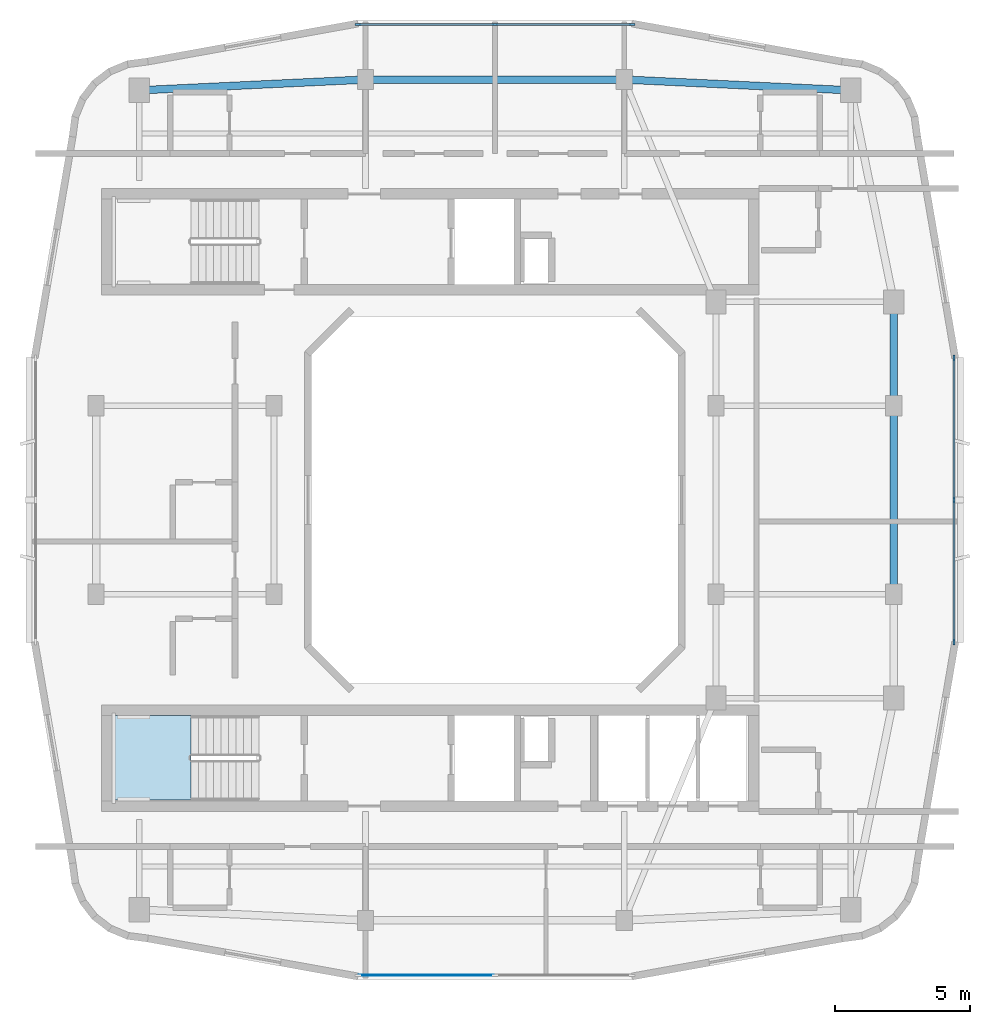
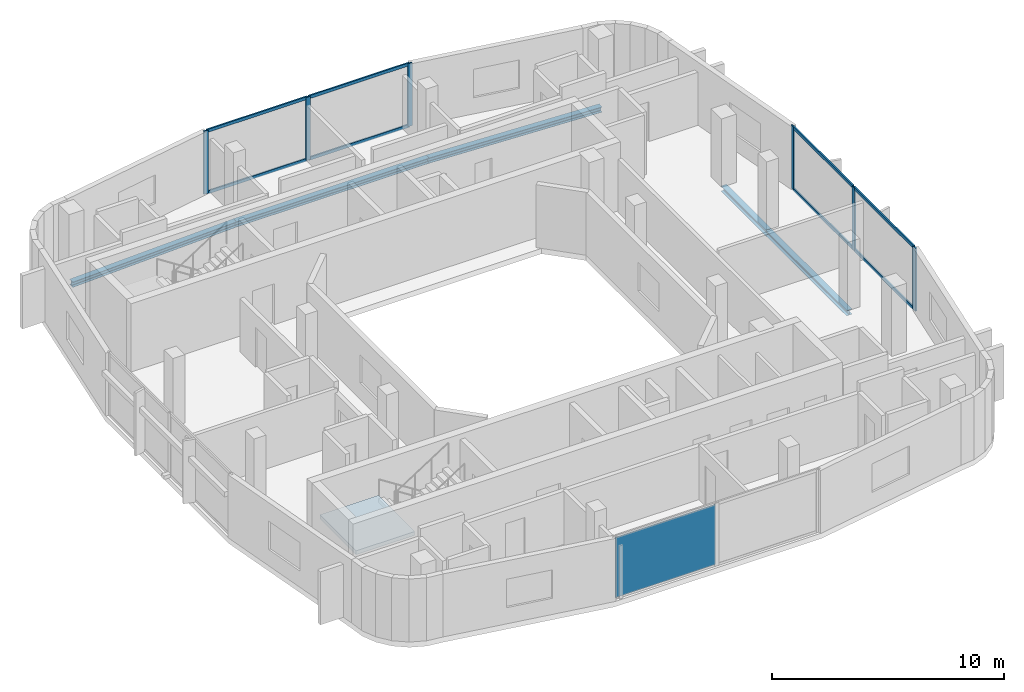
# One storey, part 2 of 8: 14 members, 5 beams, 1 plate, 1 slab, 4 elements without a shape of their own.
"""IFC4 building model written with IfcOpenShell, lengths in metres."""

from ifc_helpers import new_model, si_unit, derived_unit, direction, frame, origin, origin_2d, place, context, subcontext, project, spatial, polyline, rectangle, i_section, outline, extrude, material, layer, layer_set, material_profile, profile_set, type_object, element, aggregate, save


model = new_model("IFC4")

# Units and contexts
model_context = context("Model", 3, precision=1e-05, world=origin(), true_north=direction((0.0, 1.0)))
body_context = subcontext(model_context, "Body", "Model", "MODEL_VIEW")
ifc_project = project(units=[si_unit("LENGTHUNIT", "METRE"), si_unit("AREAUNIT", "SQUARE_METRE"), si_unit("VOLUMEUNIT", "CUBIC_METRE"), si_unit("PLANEANGLEUNIT", "RADIAN"), si_unit("MASSUNIT", "GRAM", prefix="KILO"), derived_unit("THERMALTRANSMITTANCEUNIT", [(si_unit("POWERUNIT", "WATT"), 1), (si_unit("LENGTHUNIT", "METRE"), -2), (si_unit("THERMODYNAMICTEMPERATUREUNIT", "KELVIN"), -1)])], contexts=[model_context])

# Site, building, storey
site_placement = place(None, origin())
site = spatial("IfcSite", under=ifc_project, at=site_placement, CompositionType="ELEMENT")
building_placement = place(site_placement, origin())
building = spatial("IfcBuilding", under=site, at=building_placement, Name="Kivonza Crest Hotel", CompositionType="ELEMENT")
storey_placement = place(building_placement, frame((0.0, 0.0, 257.60009765625)))
storey = spatial("IfcBuildingStorey", under=building, at=storey_placement, Name="L70", CompositionType="ELEMENT", Elevation=257.60009765625)

# Beams
ifc_material_1 = material(Name="Steel S355", Category="steel")
ifc_material_profile_1 = material_profile(ifc_material_1, i_section(OverallWidth=0.280029296875, OverallDepth=0.280029296875, WebThickness=0.010498046875, FlangeThickness=0.01806640625, FilletRadius=0.02392578125, at=origin_2d()), Name="HEB 280")
ifc_profile_set_1 = profile_set([ifc_material_profile_1], Name="Steel S355")
beam_type = type_object("IfcBeamType", Name="BM-HEB280", PredefinedType="SPANDREL", material=ifc_profile_set_1)
beam_1_placement = place(storey_placement, frame((35.800048828125, 21.5, -0.420166015625), z_axis=(0.0, 1.0, 0.0), x_axis=(-1.0, 0.0, 0.0)))
element("IfcBeam", 1, at=beam_1_placement, inside=storey, type_object=beam_type, Name="Tower T1 L70 perimeter spandrel E1-E2", PredefinedType="SPANDREL", context=body_context, shape_type="SweptSolid", body=[
    extrude(i_section(OverallWidth=0.280029296875, OverallDepth=0.280029296875, WebThickness=0.010498046875, FlangeThickness=0.01806640625, FilletRadius=0.02392578125, at=origin_2d()), origin(), (0.0, 0.0, 1.0), 7.0),
])
beam_2_placement = place(storey_placement, frame((35.800048828125, 28.5, -0.420166015625), z_axis=(0.0, 1.0, 0.0), x_axis=(-1.0, 0.0, 0.0)))
element("IfcBeam", 2, at=beam_2_placement, inside=storey, type_object=beam_type, Name="Tower T1 L70 perimeter spandrel E2-PNE", PredefinedType="SPANDREL", context=body_context, shape_type="SweptSolid", body=[
    extrude(i_section(OverallWidth=0.280029296875, OverallDepth=0.280029296875, WebThickness=0.010498046875, FlangeThickness=0.01806640625, FilletRadius=0.02392578125, at=origin_2d()), origin(), (0.0, 0.0, 1.0), 3.85009765625),
])
beam_3_placement = place(storey_placement, frame((34.199951171875, 40.199951171875, -0.420166015625), z_axis=(-0.998867283688, 0.047583080799, 0.0), x_axis=(-0.047583080799, -0.998867283688, 0.0)))
element("IfcBeam", 3, at=beam_3_placement, inside=storey, type_object=beam_type, Name="Tower T1 L70 perimeter spandrel NE-N2", PredefinedType="SPANDREL", context=body_context, shape_type="SweptSolid", body=[
    extrude(i_section(OverallWidth=0.280029296875, OverallDepth=0.280029296875, WebThickness=0.010498046875, FlangeThickness=0.01806640625, FilletRadius=0.02392578125, at=origin_2d()), origin(), (0.0, 0.0, 1.0), 8.409423828125),
])
beam_4_placement = place(storey_placement, frame((25.800048828125, 40.60009765625, -0.420166015625), z_axis=(-1.0, 0.0, 0.0), x_axis=(0.0, -1.0, 0.0)))
element("IfcBeam", 4, at=beam_4_placement, inside=storey, type_object=beam_type, Name="Tower T1 L70 perimeter spandrel N2-N1", PredefinedType="SPANDREL", context=body_context, shape_type="SweptSolid", body=[
    extrude(i_section(OverallWidth=0.280029296875, OverallDepth=0.280029296875, WebThickness=0.010498046875, FlangeThickness=0.01806640625, FilletRadius=0.02392578125, at=origin_2d()), origin(), (0.0, 0.0, 1.0), 9.60009765625),
])
beam_5_placement = place(storey_placement, frame((16.199951171875, 40.60009765625, -0.420166015625), z_axis=(-0.998867283688, -0.047583080799, 0.0), x_axis=(0.047583080799, -0.998867283688, 0.0)))
element("IfcBeam", 5, at=beam_5_placement, inside=storey, type_object=beam_type, Name="Tower T1 L70 perimeter spandrel N1-NW", PredefinedType="SPANDREL", context=body_context, shape_type="SweptSolid", body=[
    extrude(i_section(OverallWidth=0.280029296875, OverallDepth=0.280029296875, WebThickness=0.010498046875, FlangeThickness=0.01806640625, FilletRadius=0.02392578125, at=origin_2d()), origin(), (0.0, 0.0, 1.0), 8.409423828125),
])

# Curtain wall, members
ifc_material_2 = material(Name="Anodised bronze aluminium and low-E double glazing", Category="aluminium")
ifc_layer_1 = layer(ifc_material_2, 0.179931640625)
ifc_layer_set_1 = layer_set([ifc_layer_1], Name="Anodised bronze aluminium and low-E double glazing")
curtain_wall_type = type_object("IfcCurtainWallType", Name="CW-SYS-3", PredefinedType="NOTDEFINED", material=ifc_layer_set_1)
curtain_wall_1_placement = place(storey_placement, origin())
curtain_wall_1 = element("IfcCurtainWall", 6, at=curtain_wall_1_placement, inside=storey, type_object=curtain_wall_type, Name="L70 unitised curtain wall CW-T1-L70-17", PredefinedType="NOTDEFINED")
ifc_material_3 = material(Name="Anodised bronze aluminium", Category="aluminium")
ifc_material_profile_2 = material_profile(ifc_material_3, rectangle(XDim=0.074951171875, YDim=0.219970703125, at=origin_2d()), Name="CW-M 75x220")
ifc_profile_set_2 = profile_set([ifc_material_profile_2], Name="Anodised bronze aluminium")
member_type_1 = type_object("IfcMemberType", Name="CW-MUL-75x220", PredefinedType="MULLION", material=ifc_profile_set_2)
member_1_placement = place(storey_placement, frame((38.0400390625, 19.737548828125, 0.0), z_axis=(0.0, 0.0, 1.0), x_axis=(-1.0, 0.0, 0.0)))
member_1 = element("IfcMember", 7, at=member_1_placement, type_object=member_type_1, Name="CW-3 mullion 1", PredefinedType="MULLION", context=body_context, shape_type="SweptSolid", body=[
    extrude(rectangle(XDim=0.074951171875, YDim=0.219970703125, at=origin_2d()), origin(), (0.0, 0.0, 1.0), 3.31982421875),
])
member_2_placement = place(storey_placement, frame((38.0400390625, 25.0, 0.0), z_axis=(0.0, 0.0, 1.0), x_axis=(-1.0, 0.0, 0.0)))
member_2 = element("IfcMember", 8, at=member_2_placement, type_object=member_type_1, Name="CW-3 mullion 2", PredefinedType="MULLION", context=body_context, shape_type="SweptSolid", body=[
    extrude(rectangle(XDim=0.074951171875, YDim=0.219970703125, at=origin_2d()), origin(), (0.0, 0.0, 1.0), 3.31982421875),
])
member_3_placement = place(storey_placement, frame((38.0400390625, 30.262451171875, 0.0), z_axis=(0.0, 0.0, 1.0), x_axis=(-1.0, 0.0, 0.0)))
member_3 = element("IfcMember", 9, at=member_3_placement, type_object=member_type_1, Name="CW-3 mullion 3", PredefinedType="MULLION", context=body_context, shape_type="SweptSolid", body=[
    extrude(rectangle(XDim=0.074951171875, YDim=0.219970703125, at=origin_2d()), origin(), (0.0, 0.0, 1.0), 3.31982421875),
])

curtain_wall_2_placement = place(storey_placement, origin())
curtain_wall_2 = element("IfcCurtainWall", 10, at=curtain_wall_2_placement, inside=storey, type_object=curtain_wall_type, Name="L70 unitised curtain wall CW-T1-L70-26", PredefinedType="NOTDEFINED")
member_4_placement = place(storey_placement, frame((26.08251953125, 42.639892578125, 0.0), z_axis=(0.0, 0.0, 1.0), x_axis=(0.0, -1.0, 0.0)))
member_4 = element("IfcMember", 11, at=member_4_placement, type_object=member_type_1, Name="CW-3 mullion 1", PredefinedType="MULLION", context=body_context, shape_type="SweptSolid", body=[
    extrude(rectangle(XDim=0.074951171875, YDim=0.219970703125, at=origin_2d()), origin(), (0.0, 0.0, 1.0), 3.31982421875),
])
member_5_placement = place(storey_placement, frame((21.0, 42.639892578125, 0.0), z_axis=(0.0, 0.0, 1.0), x_axis=(0.0, -1.0, 0.0)))
member_5 = element("IfcMember", 12, at=member_5_placement, type_object=member_type_1, Name="CW-3 mullion 2", PredefinedType="MULLION", context=body_context, shape_type="SweptSolid", body=[
    extrude(rectangle(XDim=0.074951171875, YDim=0.219970703125, at=origin_2d()), origin(), (0.0, 0.0, 1.0), 3.31982421875),
])
member_6_placement = place(storey_placement, frame((15.91748046875, 42.639892578125, 0.0), z_axis=(0.0, 0.0, 1.0), x_axis=(0.0, -1.0, 0.0)))
member_6 = element("IfcMember", 13, at=member_6_placement, type_object=member_type_1, Name="CW-3 mullion 3", PredefinedType="MULLION", context=body_context, shape_type="SweptSolid", body=[
    extrude(rectangle(XDim=0.074951171875, YDim=0.219970703125, at=origin_2d()), origin(), (0.0, 0.0, 1.0), 3.31982421875),
])

# Member
ifc_material_profile_3 = material_profile(ifc_material_3, rectangle(XDim=0.074951171875, YDim=0.159912109375, at=origin_2d()), Name="CW-T 75x160")
ifc_profile_set_3 = profile_set([ifc_material_profile_3], Name="Anodised bronze aluminium")
member_type_2 = type_object("IfcMemberType", Name="CW-TRN-75x160", PredefinedType="USERDEFINED", material=ifc_profile_set_3)
member_7_placement = place(storey_placement, frame((38.0400390625, 19.77490234375, 0.037353515625), z_axis=(0.0, 1.0, 0.0), x_axis=(-1.0, 0.0, 0.0)))
member_7 = element("IfcMember", 14, at=member_7_placement, type_object=member_type_2, Name="CW-3 transom 1.1", ObjectType="TRANSOM", PredefinedType="USERDEFINED", context=body_context, shape_type="SweptSolid", body=[
    extrude(rectangle(XDim=0.074951171875, YDim=0.159912109375, at=origin_2d()), origin(), (0.0, 0.0, 1.0), 5.1875),
])

member_8_placement = place(storey_placement, frame((38.0400390625, 19.77490234375, 3.282470703125), z_axis=(0.0, 1.0, 0.0), x_axis=(-1.0, 0.0, 0.0)))
member_8 = element("IfcMember", 15, at=member_8_placement, type_object=member_type_2, Name="CW-3 transom 1.2", ObjectType="TRANSOM", PredefinedType="USERDEFINED", context=body_context, shape_type="SweptSolid", body=[
    extrude(rectangle(XDim=0.074951171875, YDim=0.159912109375, at=origin_2d()), origin(), (0.0, 0.0, 1.0), 5.1875),
])

member_9_placement = place(storey_placement, frame((38.0400390625, 25.03759765625, 0.037353515625), z_axis=(0.0, 1.0, 0.0), x_axis=(-1.0, 0.0, 0.0)))
member_9 = element("IfcMember", 16, at=member_9_placement, type_object=member_type_2, Name="CW-3 transom 2.1", ObjectType="TRANSOM", PredefinedType="USERDEFINED", context=body_context, shape_type="SweptSolid", body=[
    extrude(rectangle(XDim=0.074951171875, YDim=0.159912109375, at=origin_2d()), origin(), (0.0, 0.0, 1.0), 5.1875),
])

member_10_placement = place(storey_placement, frame((38.0400390625, 25.03759765625, 3.282470703125), z_axis=(0.0, 1.0, 0.0), x_axis=(-1.0, 0.0, 0.0)))
member_10 = element("IfcMember", 17, at=member_10_placement, type_object=member_type_2, Name="CW-3 transom 2.2", ObjectType="TRANSOM", PredefinedType="USERDEFINED", context=body_context, shape_type="SweptSolid", body=[
    extrude(rectangle(XDim=0.074951171875, YDim=0.159912109375, at=origin_2d()), origin(), (0.0, 0.0, 1.0), 5.1875),
])

aggregate(curtain_wall_1, [member_1, member_2, member_3, member_7, member_8, member_9, member_10])

member_11_placement = place(storey_placement, frame((26.044921875, 42.639892578125, 0.037353515625), z_axis=(-1.0, 0.0, 0.0), x_axis=(0.0, -1.0, 0.0)))
member_11 = element("IfcMember", 18, at=member_11_placement, type_object=member_type_2, Name="CW-3 transom 1.1", ObjectType="TRANSOM", PredefinedType="USERDEFINED", context=body_context, shape_type="SweptSolid", body=[
    extrude(rectangle(XDim=0.074951171875, YDim=0.159912109375, at=origin_2d()), origin(), (0.0, 0.0, 1.0), 5.00732421875),
])

member_12_placement = place(storey_placement, frame((26.044921875, 42.639892578125, 3.282470703125), z_axis=(-1.0, 0.0, 0.0), x_axis=(0.0, -1.0, 0.0)))
member_12 = element("IfcMember", 19, at=member_12_placement, type_object=member_type_2, Name="CW-3 transom 1.2", ObjectType="TRANSOM", PredefinedType="USERDEFINED", context=body_context, shape_type="SweptSolid", body=[
    extrude(rectangle(XDim=0.074951171875, YDim=0.159912109375, at=origin_2d()), origin(), (0.0, 0.0, 1.0), 5.00732421875),
])

member_13_placement = place(storey_placement, frame((20.96240234375, 42.639892578125, 0.037353515625), z_axis=(-1.0, 0.0, 0.0), x_axis=(0.0, -1.0, 0.0)))
member_13 = element("IfcMember", 20, at=member_13_placement, type_object=member_type_2, Name="CW-3 transom 2.1", ObjectType="TRANSOM", PredefinedType="USERDEFINED", context=body_context, shape_type="SweptSolid", body=[
    extrude(rectangle(XDim=0.074951171875, YDim=0.159912109375, at=origin_2d()), origin(), (0.0, 0.0, 1.0), 5.00732421875),
])

member_14_placement = place(storey_placement, frame((20.96240234375, 42.639892578125, 3.282470703125), z_axis=(-1.0, 0.0, 0.0), x_axis=(0.0, -1.0, 0.0)))
member_14 = element("IfcMember", 21, at=member_14_placement, type_object=member_type_2, Name="CW-3 transom 2.2", ObjectType="TRANSOM", PredefinedType="USERDEFINED", context=body_context, shape_type="SweptSolid", body=[
    extrude(rectangle(XDim=0.074951171875, YDim=0.159912109375, at=origin_2d()), origin(), (0.0, 0.0, 1.0), 5.00732421875),
])

aggregate(curtain_wall_2, [member_4, member_5, member_6, member_11, member_12, member_13, member_14])

# Curtain wall, plate
curtain_wall_3_placement = place(storey_placement, origin())
curtain_wall_3 = element("IfcCurtainWall", 22, at=curtain_wall_3_placement, inside=storey, type_object=curtain_wall_type, Name="L70 unitised curtain wall CW-T1-L70-08", PredefinedType="NOTDEFINED")
ifc_material_4 = material(Name="Acoustic triple-laminated low-E glazing", Category="glass")
ifc_layer_2 = layer(ifc_material_4, 0.035888671875)
ifc_layer_set_2 = layer_set([ifc_layer_2], Name="Acoustic triple-laminated low-E glazing")
plate_type = type_object("IfcPlateType", Name="CW-PNL-36", PredefinedType="CURTAIN_PANEL", material=ifc_layer_set_2)
plate_placement = place(storey_placement, frame((18.458740234375, 7.360107421875, 0.074951171875), z_axis=(0.0, 0.0, 1.0), x_axis=(1.0, 0.0, 0.0)))
plate = element("IfcPlate", 23, at=plate_placement, type_object=plate_type, Name="CW-3 panel 1.1", PredefinedType="CURTAIN_PANEL", context=body_context, shape_type="SweptSolid", body=[
    extrude(rectangle(XDim=5.007568359375, YDim=0.035888671875, at=origin_2d()), origin(), (0.0, 0.0, 1.0), 3.169921875),
])
aggregate(curtain_wall_3, [plate])

# Stair, slab
ifc_material_5 = material(Name="Concrete C40/50", Category="concrete")
stair_type = type_object("IfcStairType", Name="ST-DL-20R", PredefinedType="HALF_TURN_STAIR", material=ifc_material_5)
stair_placement = place(storey_placement, origin())
stair = element("IfcStair", 24, at=stair_placement, inside=storey, type_object=stair_type, Name="L70 Protected Exit Stair ST-T1-S", PredefinedType="HALF_TURN_STAIR")
ifc_layer_3 = layer(ifc_material_5, 0.199951171875)
ifc_layer_set_3 = layer_set([ifc_layer_3], Name="Concrete C40/50")
slab_type = type_object("IfcSlabType", Name="SL-LAND-200", PredefinedType="LANDING", material=ifc_layer_set_3)
slab_placement = place(storey_placement, frame((0.0, 0.0, 1.599853515625)))
slab = element("IfcSlab", 25, at=slab_placement, type_object=slab_type, Name="ST-T1-S landing 1", PredefinedType="LANDING", context=body_context, shape_type="SweptSolid", body=[
    extrude(outline(polyline([(9.719970703125, 17.0), (6.800048828125, 17.0), (6.800048828125, 13.860107421875), (9.719970703125, 13.860107421875), (9.719970703125, 17.0)])), origin(), (0.0, 0.0, 1.0), 0.199951171875),
])
aggregate(stair, [slab])

save(model, "model.ifc")
